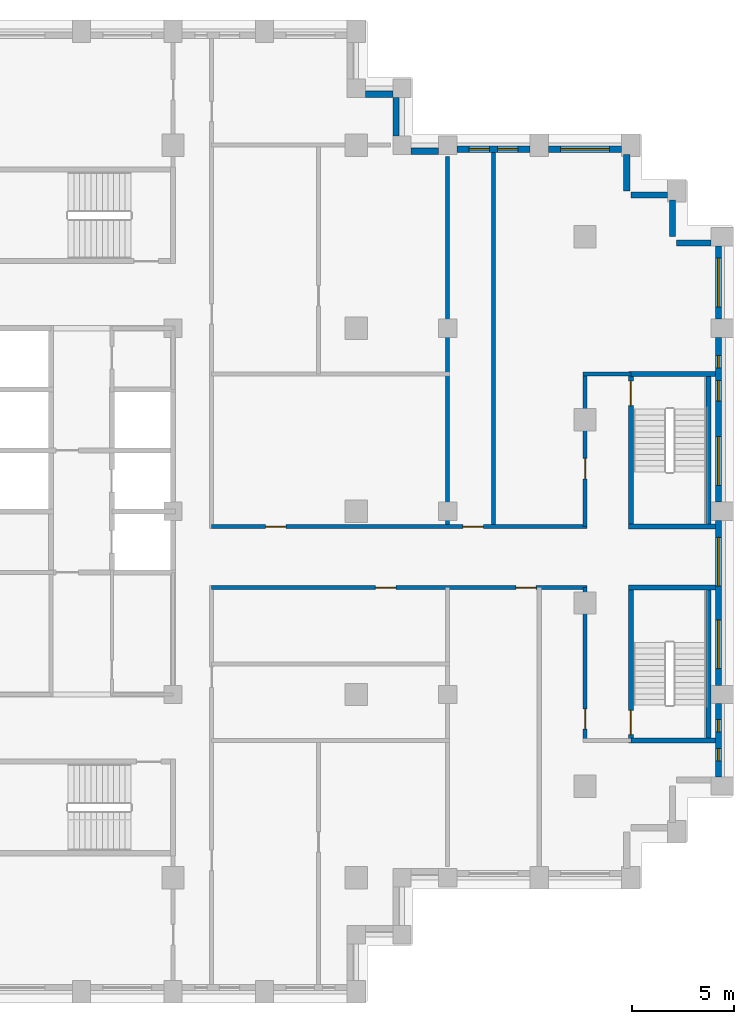
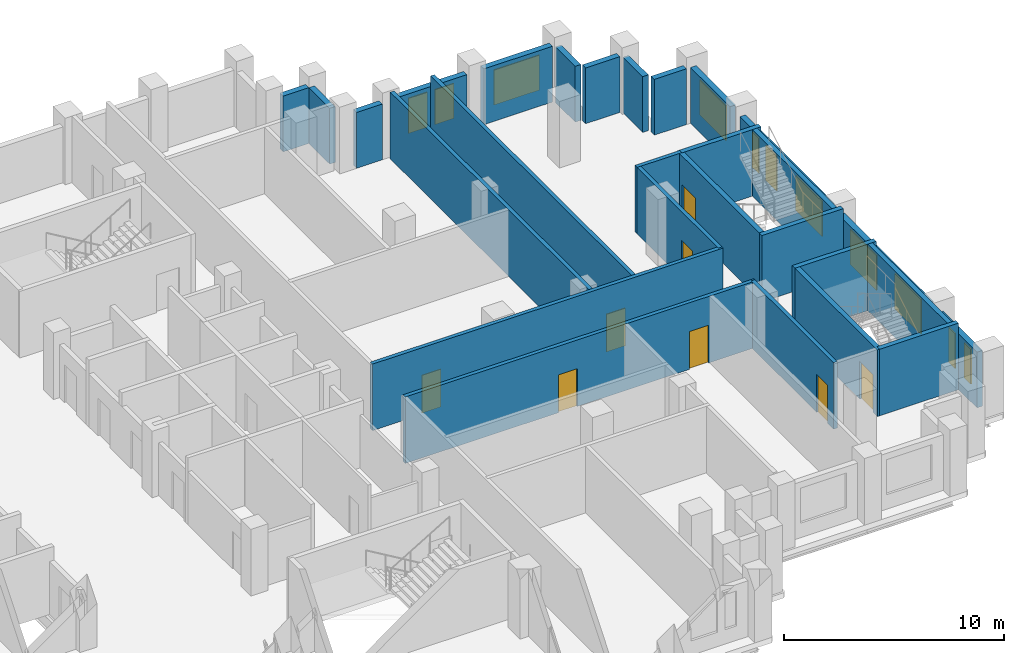
# One storey, part 12 of 16: 28 walls, 11 windows, 8 doors, 19 openings.
"""IFC4 building model written with IfcOpenShell, lengths in metres."""

from ifc_helpers import new_model, si_unit, direction, frame, frame_2d, origin, place, context, subcontext, project, spatial, rectangle, extrude, material, layer, layer_set, type_object, element, fill, save


model = new_model("IFC4")

# Units and contexts
model_context = context("Model", 3, precision=1e-05, world=origin(), true_north=direction((0.0, 1.0)))
body_context = subcontext(model_context, "Body", "Model", "MODEL_VIEW")
ifc_project = project(units=[si_unit("LENGTHUNIT", "METRE"), si_unit("AREAUNIT", "SQUARE_METRE"), si_unit("VOLUMEUNIT", "CUBIC_METRE"), si_unit("PLANEANGLEUNIT", "RADIAN"), si_unit("MASSUNIT", "GRAM", prefix="KILO")], contexts=[model_context])

# Site, building, storey
site_placement = place(None, origin())
site = spatial("IfcSite", under=ifc_project, at=site_placement, CompositionType="ELEMENT")
building_placement = place(site_placement, origin())
building = spatial("IfcBuilding", under=site, at=building_placement, Name="Corbelhall Arena Tower", CompositionType="ELEMENT")
storey_placement = place(building_placement, frame((0.0, 0.0, 170.0)))
storey = spatial("IfcBuildingStorey", under=building, at=storey_placement, Name="L34", CompositionType="ELEMENT", Elevation=170.0)

# Walls
ifc_material_1 = material(Name="Precast concrete C40/50 with granite facing", Category="masonry")
ifc_layer_1 = layer(ifc_material_1, 0.300048828125)
ifc_layer_set_1 = layer_set([ifc_layer_1], Name="EV-IW1 Infill panel 300")
wall_type_1 = type_object("IfcWallType", Name="EV-IW1 Infill panel 300", PredefinedType="SOLIDWALL", material=ifc_layer_set_1)
wall_1_placement = place(storey_placement, frame((39.949951171875, 13.199951171875, 0.0), z_axis=(0.0, 0.0, 1.0), x_axis=(-1.0, 0.0, 0.0)))
element("IfcWall", 1, at=wall_1_placement, inside=storey, type_object=wall_type_1, Name="Infill panel IW1", PredefinedType="SOLIDWALL", context=body_context, shape_type="SweptSolid", body=[
    extrude(rectangle(XDim=1.699951171875, YDim=0.300048828125, at=frame_2d((0.85009765625, 0.0))), origin(), (0.0, 0.0, 1.0), 3.10009765625),
])
for number, where, z_axis, x_axis, name in (
    (2, (38.050048828125, 15.300048828125, 0.0), (0.0, 0.0, 1.0), (0.0, -1.0, 0.0), "Infill panel IW1"),
    (3, (37.800048828125, 15.550048828125, 0.0), (0.0, 0.0, 1.0), (-1.0, 0.0, 0.0), "Infill panel IW1"),
    (4, (35.800048828125, 17.550048828125, 0.0), (0.0, 0.0, 1.0), (0.0, -1.0, 0.0), "Infill panel IW1"),
):
    element("IfcWall", number, at=place(storey_placement, frame(where, z_axis=z_axis, x_axis=x_axis)), inside=storey, type_object=wall_type_1, Name=name, PredefinedType="SOLIDWALL", context=body_context, shape_type="SweptSolid", body=[
        extrude(rectangle(XDim=1.800048828125, YDim=0.300048828125, at=frame_2d((0.89990234375, 0.0))), origin(), (0.0, 0.0, 1.0), 3.10009765625),
    ])

# Wall, openings, windows
wall_2_placement = place(storey_placement, frame((40.300048828125, -13.050048828125, 0.0), z_axis=(0.0, 0.0, 1.0), x_axis=(0.0, 1.0, 0.0)))
wall_2 = element("IfcWall", 5, at=wall_2_placement, inside=storey, type_object=wall_type_1, Name="Infill panel IW1", PredefinedType="SOLIDWALL", context=body_context, shape_type="SweptSolid", body=[
    extrude(rectangle(XDim=3.60009765625, YDim=0.300048828125, at=frame_2d((1.800048828125, 0.0))), origin(), (0.0, 0.0, 1.0), 3.10009765625),
])
opening_1_placement = place(wall_2_placement, frame((0.78759765625, 0.0, 0.800048828125)))
opening_1 = element("IfcOpeningElement", 6, at=opening_1_placement, cuts=wall_2, Name="Opening WN5", PredefinedType="OPENING", context=body_context, shape_type="SweptSolid", body=[
    extrude(rectangle(XDim=0.60009765625, YDim=1.949951171875, at=frame_2d((0.300048828125, 0.97509765625))), frame((0.0, 0.14990234375, 0.0), z_axis=(0.0, -1.0, 0.0), x_axis=(1.0, 0.0, 0.0)), (0.0, 0.0, 1.0), 0.300048828125),
])
opening_2_placement = place(wall_2_placement, frame((2.21240234375, 0.0, 0.800048828125)))
opening_2 = element("IfcOpeningElement", 7, at=opening_2_placement, cuts=wall_2, Name="Opening WN5", PredefinedType="OPENING", context=body_context, shape_type="SweptSolid", body=[
    extrude(rectangle(XDim=0.60009765625, YDim=1.949951171875, at=frame_2d((0.300048828125, 0.97509765625))), frame((0.0, 0.14990234375, 0.0), z_axis=(0.0, -1.0, 0.0), x_axis=(1.0, 0.0, 0.0)), (0.0, 0.0, 1.0), 0.300048828125),
])
ifc_material_2 = material(Name="Aluminium black anodised", Category="aluminium")
window_type_1 = type_object("IfcWindowType", Name="EV-WN5 Office window 600", PartitioningType="SINGLE_PANEL", PredefinedType="WINDOW", material=ifc_material_2)
window_1_placement = place(opening_1_placement, origin())
window_1 = element("IfcWindow", 8, at=window_1_placement, inside=storey, type_object=window_type_1, Name="Window WN5", OverallHeight=1.949951171875, OverallWidth=0.60009765625, PartitioningType="SINGLE_PANEL", PredefinedType="WINDOW", context=body_context, shape_type="SweptSolid", body=[
    extrude(rectangle(XDim=0.60009765625, YDim=1.949951171875, at=frame_2d((0.300048828125, 0.97509765625))), frame((0.0, 0.030029296875, 0.0), z_axis=(0.0, -1.0, 0.0), x_axis=(1.0, 0.0, 0.0)), (0.0, 0.0, 1.0), 0.06005859375),
])
fill(opening_1, window_1)
window_2_placement = place(opening_2_placement, origin())
window_2 = element("IfcWindow", 9, at=window_2_placement, inside=storey, type_object=window_type_1, Name="Window WN5", OverallHeight=1.949951171875, OverallWidth=0.60009765625, PartitioningType="SINGLE_PANEL", PredefinedType="WINDOW", context=body_context, shape_type="SweptSolid", body=[
    extrude(rectangle(XDim=0.60009765625, YDim=1.949951171875, at=frame_2d((0.300048828125, 0.97509765625))), frame((0.0, 0.030029296875, 0.0), z_axis=(0.0, -1.0, 0.0), x_axis=(1.0, 0.0, 0.0)), (0.0, 0.0, 1.0), 0.06005859375),
])
fill(opening_2, window_2)

wall_3_placement = place(storey_placement, frame((40.300048828125, -8.550048828125, 0.0), z_axis=(0.0, 0.0, 1.0), x_axis=(0.0, 1.0, 0.0)))
wall_3 = element("IfcWall", 10, at=wall_3_placement, inside=storey, type_object=wall_type_1, Name="Infill panel IW1", PredefinedType="SOLIDWALL", context=body_context, shape_type="SweptSolid", body=[
    extrude(rectangle(XDim=8.10009765625, YDim=0.300048828125, at=frame_2d((4.050048828125, 0.0))), origin(), (0.0, 0.0, 1.0), 3.10009765625),
])
opening_3_placement = place(wall_3_placement, frame((0.824951171875, 0.0, 0.800048828125)))
opening_3 = element("IfcOpeningElement", 11, at=opening_3_placement, cuts=wall_3, Name="Opening WN1", PredefinedType="OPENING", context=body_context, shape_type="SweptSolid", body=[
    extrude(rectangle(XDim=2.39990234375, YDim=1.949951171875, at=frame_2d((1.199951171875, 0.97509765625))), frame((0.0, 0.14990234375, 0.0), z_axis=(0.0, -1.0, 0.0), x_axis=(1.0, 0.0, 0.0)), (0.0, 0.0, 1.0), 0.300048828125),
])
opening_4_placement = place(wall_3_placement, frame((4.875, 0.0, 0.800048828125)))
opening_4 = element("IfcOpeningElement", 12, at=opening_4_placement, cuts=wall_3, Name="Opening WN1", PredefinedType="OPENING", context=body_context, shape_type="SweptSolid", body=[
    extrude(rectangle(XDim=2.39990234375, YDim=1.949951171875, at=frame_2d((1.199951171875, 0.97509765625))), frame((0.0, 0.14990234375, 0.0), z_axis=(0.0, -1.0, 0.0), x_axis=(1.0, 0.0, 0.0)), (0.0, 0.0, 1.0), 0.300048828125),
])
window_type_2 = type_object("IfcWindowType", Name="EV-WN1 Office window", PartitioningType="SINGLE_PANEL", PredefinedType="WINDOW", material=ifc_material_2)
window_3_placement = place(opening_3_placement, origin())
window_3 = element("IfcWindow", 13, at=window_3_placement, inside=storey, type_object=window_type_2, Name="Window WN1", OverallHeight=1.949951171875, OverallWidth=2.39990234375, PartitioningType="SINGLE_PANEL", PredefinedType="WINDOW", context=body_context, shape_type="SweptSolid", body=[
    extrude(rectangle(XDim=2.39990234375, YDim=1.949951171875, at=frame_2d((1.199951171875, 0.97509765625))), frame((0.0, 0.030029296875, 0.0), z_axis=(0.0, -1.0, 0.0), x_axis=(1.0, 0.0, 0.0)), (0.0, 0.0, 1.0), 0.06005859375),
])
fill(opening_3, window_3)
window_4_placement = place(opening_4_placement, origin())
window_4 = element("IfcWindow", 14, at=window_4_placement, inside=storey, type_object=window_type_2, Name="Window WN1", OverallHeight=1.949951171875, OverallWidth=2.39990234375, PartitioningType="SINGLE_PANEL", PredefinedType="WINDOW", context=body_context, shape_type="SweptSolid", body=[
    extrude(rectangle(XDim=2.39990234375, YDim=1.949951171875, at=frame_2d((1.199951171875, 0.97509765625))), frame((0.0, 0.030029296875, 0.0), z_axis=(0.0, -1.0, 0.0), x_axis=(1.0, 0.0, 0.0)), (0.0, 0.0, 1.0), 0.06005859375),
])
fill(opening_4, window_4)

wall_4_placement = place(storey_placement, frame((40.300048828125, 0.449951171875, 0.0), z_axis=(0.0, 0.0, 1.0), x_axis=(0.0, 1.0, 0.0)))
wall_4 = element("IfcWall", 15, at=wall_4_placement, inside=storey, type_object=wall_type_1, Name="Infill panel IW1", PredefinedType="SOLIDWALL", context=body_context, shape_type="SweptSolid", body=[
    extrude(rectangle(XDim=8.10009765625, YDim=0.300048828125, at=frame_2d((4.050048828125, 0.0))), origin(), (0.0, 0.0, 1.0), 3.10009765625),
])
opening_5_placement = place(wall_4_placement, frame((0.824951171875, 0.0, 0.800048828125)))
opening_5 = element("IfcOpeningElement", 16, at=opening_5_placement, cuts=wall_4, Name="Opening WN1", PredefinedType="OPENING", context=body_context, shape_type="SweptSolid", body=[
    extrude(rectangle(XDim=2.39990234375, YDim=1.949951171875, at=frame_2d((1.199951171875, 0.97509765625))), frame((0.0, 0.14990234375, 0.0), z_axis=(0.0, -1.0, 0.0), x_axis=(1.0, 0.0, 0.0)), (0.0, 0.0, 1.0), 0.300048828125),
])
opening_6_placement = place(wall_4_placement, frame((4.97509765625, 0.0, 0.800048828125)))
opening_6 = element("IfcOpeningElement", 17, at=opening_6_placement, cuts=wall_4, Name="Opening WN6", PredefinedType="OPENING", context=body_context, shape_type="SweptSolid", body=[
    extrude(rectangle(XDim=1.0, YDim=1.949951171875, at=frame_2d((0.5, 0.97509765625))), frame((0.0, 0.14990234375, 0.0), z_axis=(0.0, -1.0, 0.0), x_axis=(1.0, 0.0, 0.0)), (0.0, 0.0, 1.0), 0.300048828125),
])
opening_7_placement = place(wall_4_placement, frame((6.60009765625, 0.0, 0.800048828125)))
opening_7 = element("IfcOpeningElement", 18, at=opening_7_placement, cuts=wall_4, Name="Opening WN5", PredefinedType="OPENING", context=body_context, shape_type="SweptSolid", body=[
    extrude(rectangle(XDim=0.60009765625, YDim=1.949951171875, at=frame_2d((0.300048828125, 0.97509765625))), frame((0.0, 0.14990234375, 0.0), z_axis=(0.0, -1.0, 0.0), x_axis=(1.0, 0.0, 0.0)), (0.0, 0.0, 1.0), 0.300048828125),
])
window_5_placement = place(opening_5_placement, origin())
window_5 = element("IfcWindow", 19, at=window_5_placement, inside=storey, type_object=window_type_2, Name="Window WN1", OverallHeight=1.949951171875, OverallWidth=2.39990234375, PartitioningType="SINGLE_PANEL", PredefinedType="WINDOW", context=body_context, shape_type="SweptSolid", body=[
    extrude(rectangle(XDim=2.39990234375, YDim=1.949951171875, at=frame_2d((1.199951171875, 0.97509765625))), frame((0.0, 0.030029296875, 0.0), z_axis=(0.0, -1.0, 0.0), x_axis=(1.0, 0.0, 0.0)), (0.0, 0.0, 1.0), 0.06005859375),
])
fill(opening_5, window_5)
window_6_placement = place(opening_7_placement, origin())
window_6 = element("IfcWindow", 20, at=window_6_placement, inside=storey, type_object=window_type_1, Name="Window WN5", OverallHeight=1.949951171875, OverallWidth=0.60009765625, PartitioningType="SINGLE_PANEL", PredefinedType="WINDOW", context=body_context, shape_type="SweptSolid", body=[
    extrude(rectangle(XDim=0.60009765625, YDim=1.949951171875, at=frame_2d((0.300048828125, 0.97509765625))), frame((0.0, 0.030029296875, 0.0), z_axis=(0.0, -1.0, 0.0), x_axis=(1.0, 0.0, 0.0)), (0.0, 0.0, 1.0), 0.06005859375),
])
fill(opening_7, window_6)
window_type_3 = type_object("IfcWindowType", Name="EV-WN6 Office window 1000", PartitioningType="SINGLE_PANEL", PredefinedType="WINDOW", material=ifc_material_2)
window_7_placement = place(opening_6_placement, origin())
window_7 = element("IfcWindow", 21, at=window_7_placement, inside=storey, type_object=window_type_3, Name="Window WN6", OverallHeight=1.949951171875, OverallWidth=1.0, PartitioningType="SINGLE_PANEL", PredefinedType="WINDOW", context=body_context, shape_type="SweptSolid", body=[
    extrude(rectangle(XDim=1.0, YDim=1.949951171875, at=frame_2d((0.5, 0.97509765625))), frame((0.0, 0.030029296875, 0.0), z_axis=(0.0, -1.0, 0.0), x_axis=(1.0, 0.0, 0.0)), (0.0, 0.0, 1.0), 0.06005859375),
])
fill(opening_6, window_7)

# Wall, opening, window
wall_5_placement = place(storey_placement, frame((40.300048828125, 9.449951171875, 0.0), z_axis=(0.0, 0.0, 1.0), x_axis=(0.0, 1.0, 0.0)))
wall_5 = element("IfcWall", 22, at=wall_5_placement, inside=storey, type_object=wall_type_1, Name="Infill panel IW1", PredefinedType="SOLIDWALL", context=body_context, shape_type="SweptSolid", body=[
    extrude(rectangle(XDim=3.60009765625, YDim=0.300048828125, at=frame_2d((1.800048828125, 0.0))), origin(), (0.0, 0.0, 1.0), 3.10009765625),
])
opening_8_placement = place(wall_5_placement, frame((0.60009765625, 0.0, 0.800048828125)))
opening_8 = element("IfcOpeningElement", 23, at=opening_8_placement, cuts=wall_5, Name="Opening WN1", PredefinedType="OPENING", context=body_context, shape_type="SweptSolid", body=[
    extrude(rectangle(XDim=2.39990234375, YDim=1.949951171875, at=frame_2d((1.199951171875, 0.97509765625))), frame((0.0, 0.14990234375, 0.0), z_axis=(0.0, -1.0, 0.0), x_axis=(1.0, 0.0, 0.0)), (0.0, 0.0, 1.0), 0.300048828125),
])
window_8_placement = place(opening_8_placement, origin())
window_8 = element("IfcWindow", 24, at=window_8_placement, inside=storey, type_object=window_type_2, Name="Window WN1", OverallHeight=1.949951171875, OverallWidth=2.39990234375, PartitioningType="SINGLE_PANEL", PredefinedType="WINDOW", context=body_context, shape_type="SweptSolid", body=[
    extrude(rectangle(XDim=2.39990234375, YDim=1.949951171875, at=frame_2d((1.199951171875, 0.97509765625))), frame((0.0, 0.030029296875, 0.0), z_axis=(0.0, -1.0, 0.0), x_axis=(1.0, 0.0, 0.0)), (0.0, 0.0, 1.0), 0.06005859375),
])
fill(opening_8, window_8)

wall_6_placement = place(storey_placement, frame((35.550048828125, 17.800048828125, 0.0), z_axis=(0.0, 0.0, 1.0), x_axis=(-1.0, 0.0, 0.0)))
wall_6 = element("IfcWall", 25, at=wall_6_placement, inside=storey, type_object=wall_type_1, Name="Infill panel IW1", PredefinedType="SOLIDWALL", context=body_context, shape_type="SweptSolid", body=[
    extrude(rectangle(XDim=3.60009765625, YDim=0.300048828125, at=frame_2d((1.800048828125, 0.0))), origin(), (0.0, 0.0, 1.0), 3.10009765625),
])
opening_9_placement = place(wall_6_placement, frame((0.60009765625, 0.0, 0.800048828125)))
opening_9 = element("IfcOpeningElement", 26, at=opening_9_placement, cuts=wall_6, Name="Opening WN1", PredefinedType="OPENING", context=body_context, shape_type="SweptSolid", body=[
    extrude(rectangle(XDim=2.39990234375, YDim=1.949951171875, at=frame_2d((1.199951171875, 0.97509765625))), frame((0.0, 0.14990234375, 0.0), z_axis=(0.0, -1.0, 0.0), x_axis=(1.0, 0.0, 0.0)), (0.0, 0.0, 1.0), 0.300048828125),
])
window_9_placement = place(opening_9_placement, origin())
window_9 = element("IfcWindow", 27, at=window_9_placement, inside=storey, type_object=window_type_2, Name="Window WN1", OverallHeight=1.949951171875, OverallWidth=2.39990234375, PartitioningType="SINGLE_PANEL", PredefinedType="WINDOW", context=body_context, shape_type="SweptSolid", body=[
    extrude(rectangle(XDim=2.39990234375, YDim=1.949951171875, at=frame_2d((1.199951171875, 0.97509765625))), frame((0.0, 0.030029296875, 0.0), z_axis=(0.0, -1.0, 0.0), x_axis=(1.0, 0.0, 0.0)), (0.0, 0.0, 1.0), 0.06005859375),
])
fill(opening_9, window_9)

# Wall, openings, windows
wall_7_placement = place(storey_placement, frame((31.050048828125, 17.800048828125, 0.0), z_axis=(0.0, 0.0, 1.0), x_axis=(-1.0, 0.0, 0.0)))
wall_7 = element("IfcWall", 28, at=wall_7_placement, inside=storey, type_object=wall_type_1, Name="Infill panel IW1", PredefinedType="SOLIDWALL", context=body_context, shape_type="SweptSolid", body=[
    extrude(rectangle(XDim=3.60009765625, YDim=0.300048828125, at=frame_2d((1.800048828125, 0.0))), origin(), (0.0, 0.0, 1.0), 3.10009765625),
])
opening_10_placement = place(wall_7_placement, frame((0.60009765625, 0.0, 0.800048828125)))
opening_10 = element("IfcOpeningElement", 29, at=opening_10_placement, cuts=wall_7, Name="Opening WN6", PredefinedType="OPENING", context=body_context, shape_type="SweptSolid", body=[
    extrude(rectangle(XDim=1.0, YDim=1.949951171875, at=frame_2d((0.5, 0.97509765625))), frame((0.0, 0.14990234375, 0.0), z_axis=(0.0, -1.0, 0.0), x_axis=(1.0, 0.0, 0.0)), (0.0, 0.0, 1.0), 0.300048828125),
])
opening_11_placement = place(wall_7_placement, frame((2.0, 0.0, 0.800048828125)))
opening_11 = element("IfcOpeningElement", 30, at=opening_11_placement, cuts=wall_7, Name="Opening WN6", PredefinedType="OPENING", context=body_context, shape_type="SweptSolid", body=[
    extrude(rectangle(XDim=1.0, YDim=1.949951171875, at=frame_2d((0.5, 0.97509765625))), frame((0.0, 0.14990234375, 0.0), z_axis=(0.0, -1.0, 0.0), x_axis=(1.0, 0.0, 0.0)), (0.0, 0.0, 1.0), 0.300048828125),
])
window_10_placement = place(opening_10_placement, origin())
window_10 = element("IfcWindow", 31, at=window_10_placement, inside=storey, type_object=window_type_3, Name="Window WN6", OverallHeight=1.949951171875, OverallWidth=1.0, PartitioningType="SINGLE_PANEL", PredefinedType="WINDOW", context=body_context, shape_type="SweptSolid", body=[
    extrude(rectangle(XDim=1.0, YDim=1.949951171875, at=frame_2d((0.5, 0.97509765625))), frame((0.0, 0.030029296875, 0.0), z_axis=(0.0, -1.0, 0.0), x_axis=(1.0, 0.0, 0.0)), (0.0, 0.0, 1.0), 0.06005859375),
])
fill(opening_10, window_10)
window_11_placement = place(opening_11_placement, origin())
window_11 = element("IfcWindow", 32, at=window_11_placement, inside=storey, type_object=window_type_3, Name="Window WN6", OverallHeight=1.949951171875, OverallWidth=1.0, PartitioningType="SINGLE_PANEL", PredefinedType="WINDOW", context=body_context, shape_type="SweptSolid", body=[
    extrude(rectangle(XDim=1.0, YDim=1.949951171875, at=frame_2d((0.5, 0.97509765625))), frame((0.0, 0.030029296875, 0.0), z_axis=(0.0, -1.0, 0.0), x_axis=(1.0, 0.0, 0.0)), (0.0, 0.0, 1.0), 0.06005859375),
])
fill(opening_11, window_11)

# Walls
wall_8_placement = place(storey_placement, frame((26.550048828125, 17.699951171875, 0.0), z_axis=(0.0, 0.0, 1.0), x_axis=(-1.0, 0.0, 0.0)))
element("IfcWall", 33, at=wall_8_placement, inside=storey, type_object=wall_type_1, Name="Infill panel IW1", PredefinedType="SOLIDWALL", context=body_context, shape_type="SweptSolid", body=[
    extrude(rectangle(XDim=1.35009765625, YDim=0.300048828125, at=frame_2d((0.675048828125, 0.0))), origin(), (0.0, 0.0, 1.0), 3.10009765625),
])
wall_9_placement = place(storey_placement, frame((24.449951171875, 18.449951171875, 0.0), z_axis=(0.0, 0.0, 1.0), x_axis=(0.0, 1.0, 0.0)))
element("IfcWall", 34, at=wall_9_placement, inside=storey, type_object=wall_type_1, Name="Infill panel IW1", PredefinedType="SOLIDWALL", context=body_context, shape_type="SweptSolid", body=[
    extrude(rectangle(XDim=1.900146484375, YDim=0.300048828125, at=frame_2d((0.9501953125, 0.0))), origin(), (0.0, 0.0, 1.0), 3.10009765625),
])
wall_10_placement = place(storey_placement, frame((24.300048828125, 20.5, 0.0), z_axis=(0.0, 0.0, 1.0), x_axis=(-1.0, 0.0, 0.0)))
element("IfcWall", 35, at=wall_10_placement, inside=storey, type_object=wall_type_1, Name="Infill panel IW1", PredefinedType="SOLIDWALL", context=body_context, shape_type="SweptSolid", body=[
    extrude(rectangle(XDim=1.35009765625, YDim=0.300048828125, at=frame_2d((0.675048828125, 0.0))), origin(), (0.0, 0.0, 1.0), 3.10009765625),
])

# Wall, openings, doors
ifc_material_3 = material(Name="Gypsum board on steel stud, acoustic", Category="steel")
ifc_layer_2 = layer(ifc_material_3, 0.199951171875)
ifc_layer_set_2 = layer_set([ifc_layer_2], Name="IN-W-DM200")
wall_type_2 = type_object("IfcWallType", Name="IN-W-DM200", PredefinedType="PARTITIONING", material=ifc_layer_set_2)
wall_11_placement = place(storey_placement, frame((15.39990234375, -0.75, 0.0), z_axis=(0.0, 0.0, 1.0), x_axis=(1.0, 0.0, 0.0)))
wall_11 = element("IfcWall", 36, at=wall_11_placement, inside=storey, type_object=wall_type_2, Name="Partition 033", PredefinedType="PARTITIONING", context=body_context, shape_type="SweptSolid", body=[
    extrude(rectangle(XDim=18.4501953125, YDim=0.199951171875, at=frame_2d((9.22509765625, 0.0))), origin(), (0.0, 0.0, 1.0), 3.699951171875),
])
opening_12_placement = place(wall_11_placement, frame((2.64990234375, 0.0, 0.0)))
opening_12 = element("IfcOpeningElement", 37, at=opening_12_placement, cuts=wall_11, Name="Opening 10034", PredefinedType="OPENING", context=body_context, shape_type="SweptSolid", body=[
    extrude(rectangle(XDim=1.0, YDim=2.10009765625, at=frame_2d((0.5, 1.050048828125))), frame((0.0, 0.10009765625, 0.0), z_axis=(0.0, -1.0, 0.0), x_axis=(1.0, 0.0, 0.0)), (0.0, 0.0, 1.0), 0.199951171875),
])
opening_13_placement = place(wall_11_placement, frame((12.35009765625, 0.0, 0.0)))
opening_13 = element("IfcOpeningElement", 38, at=opening_13_placement, cuts=wall_11, Name="Opening 10045", PredefinedType="OPENING", context=body_context, shape_type="SweptSolid", body=[
    extrude(rectangle(XDim=1.0, YDim=2.10009765625, at=frame_2d((0.5, 1.050048828125))), frame((0.0, 0.10009765625, 0.0), z_axis=(0.0, -1.0, 0.0), x_axis=(1.0, 0.0, 0.0)), (0.0, 0.0, 1.0), 0.199951171875),
])
ifc_material_4 = material(Name="Steel door set", Category="steel")
door_type_1 = type_object("IfcDoorType", Name="IN-D-SW100", OperationType="NOTDEFINED", PredefinedType="DOOR", material=ifc_material_4)
door_1_placement = place(opening_12_placement, origin())
door_1 = element("IfcDoor", 39, at=door_1_placement, inside=storey, type_object=door_type_1, Name="Door 034", OperationType="SINGLE_SWING_LEFT", OverallHeight=2.10009765625, OverallWidth=1.0, PredefinedType="DOOR", context=body_context, shape_type="SweptSolid", body=[
    extrude(rectangle(XDim=1.0, YDim=2.10009765625, at=frame_2d((0.5, 1.050048828125))), frame((0.0, 0.02490234375, 0.0), z_axis=(0.0, -1.0, 0.0), x_axis=(1.0, 0.0, 0.0)), (0.0, 0.0, 1.0), 0.050048828125),
])
fill(opening_12, door_1)
door_2_placement = place(opening_13_placement, origin())
door_2 = element("IfcDoor", 40, at=door_2_placement, inside=storey, type_object=door_type_1, Name="Door 045", OperationType="SINGLE_SWING_RIGHT", OverallHeight=2.10009765625, OverallWidth=1.0, PredefinedType="DOOR", context=body_context, shape_type="SweptSolid", body=[
    extrude(rectangle(XDim=1.0, YDim=2.10009765625, at=frame_2d((0.5, 1.050048828125))), frame((0.0, 0.02490234375, 0.0), z_axis=(0.0, -1.0, 0.0), x_axis=(1.0, 0.0, 0.0)), (0.0, 0.0, 1.0), 0.050048828125),
])
fill(opening_13, door_2)

# Wall
wall_12_placement = place(storey_placement, frame((27.0, 17.449951171875, 0.0), z_axis=(0.0, 0.0, 1.0), x_axis=(0.0, -1.0, 0.0)))
element("IfcWall", 41, at=wall_12_placement, inside=storey, type_object=wall_type_2, Name="Partition 040", PredefinedType="PARTITIONING", context=body_context, shape_type="SweptSolid", body=[
    extrude(rectangle(XDim=18.199951171875, YDim=0.199951171875, at=frame_2d((9.10009765625, 0.0))), origin(), (0.0, 0.0, 1.0), 3.699951171875),
])

# Wall, openings, doors
wall_13_placement = place(storey_placement, frame((33.85009765625, -3.75, 0.0), z_axis=(0.0, 0.0, 1.0), x_axis=(-1.0, 0.0, 0.0)))
wall_13 = element("IfcWall", 42, at=wall_13_placement, inside=storey, type_object=wall_type_2, Name="Partition 041", PredefinedType="PARTITIONING", context=body_context, shape_type="SweptSolid", body=[
    extrude(rectangle(XDim=18.4501953125, YDim=0.199951171875, at=frame_2d((9.22509765625, 0.0))), origin(), (0.0, 0.0, 1.0), 3.699951171875),
])
opening_14_placement = place(wall_13_placement, frame((9.39990234375, 0.0, 0.0)))
opening_14 = element("IfcOpeningElement", 43, at=opening_14_placement, cuts=wall_13, Name="Opening 10041", PredefinedType="OPENING", context=body_context, shape_type="SweptSolid", body=[
    extrude(rectangle(XDim=1.0, YDim=2.10009765625, at=frame_2d((0.5, 1.050048828125))), frame((0.0, 0.10009765625, 0.0), z_axis=(0.0, -1.0, 0.0), x_axis=(1.0, 0.0, 0.0)), (0.0, 0.0, 1.0), 0.199951171875),
])
opening_15_placement = place(wall_13_placement, frame((2.5, 0.0, 0.0)))
opening_15 = element("IfcOpeningElement", 44, at=opening_15_placement, cuts=wall_13, Name="Opening 10047", PredefinedType="OPENING", context=body_context, shape_type="SweptSolid", body=[
    extrude(rectangle(XDim=1.0, YDim=2.10009765625, at=frame_2d((0.5, 1.050048828125))), frame((0.0, 0.10009765625, 0.0), z_axis=(0.0, -1.0, 0.0), x_axis=(1.0, 0.0, 0.0)), (0.0, 0.0, 1.0), 0.199951171875),
])
door_3_placement = place(opening_14_placement, origin())
door_3 = element("IfcDoor", 45, at=door_3_placement, inside=storey, type_object=door_type_1, Name="Door 041", OperationType="SINGLE_SWING_RIGHT", OverallHeight=2.10009765625, OverallWidth=1.0, PredefinedType="DOOR", context=body_context, shape_type="SweptSolid", body=[
    extrude(rectangle(XDim=1.0, YDim=2.10009765625, at=frame_2d((0.5, 1.050048828125))), frame((0.0, 0.02490234375, 0.0), z_axis=(0.0, -1.0, 0.0), x_axis=(1.0, 0.0, 0.0)), (0.0, 0.0, 1.0), 0.050048828125),
])
fill(opening_14, door_3)
door_4_placement = place(opening_15_placement, origin())
door_4 = element("IfcDoor", 46, at=door_4_placement, inside=storey, type_object=door_type_1, Name="Door 047", OperationType="SINGLE_SWING_RIGHT", OverallHeight=2.10009765625, OverallWidth=1.0, PredefinedType="DOOR", context=body_context, shape_type="SweptSolid", body=[
    extrude(rectangle(XDim=1.0, YDim=2.10009765625, at=frame_2d((0.5, 1.050048828125))), frame((0.0, 0.02490234375, 0.0), z_axis=(0.0, -1.0, 0.0), x_axis=(1.0, 0.0, 0.0)), (0.0, 0.0, 1.0), 0.050048828125),
])
fill(opening_15, door_4)

# Walls
wall_14_placement = place(storey_placement, frame((29.25, 17.64990234375, 0.0), z_axis=(0.0, 0.0, 1.0), x_axis=(0.0, -1.0, 0.0)))
element("IfcWall", 47, at=wall_14_placement, inside=storey, type_object=wall_type_2, Name="Partition 042", PredefinedType="PARTITIONING", context=body_context, shape_type="SweptSolid", body=[
    extrude(rectangle(XDim=18.39990234375, YDim=0.199951171875, at=frame_2d((9.199951171875, 0.0))), origin(), (0.0, 0.0, 1.0), 3.699951171875),
])
wall_15_placement = place(storey_placement, frame((33.64990234375, 6.75, 0.0), z_axis=(0.0, 0.0, 1.0), x_axis=(1.0, 0.0, 0.0)))
element("IfcWall", 48, at=wall_15_placement, inside=storey, type_object=wall_type_2, Name="Partition 044", PredefinedType="PARTITIONING", context=body_context, shape_type="SweptSolid", body=[
    extrude(rectangle(XDim=2.35009765625, YDim=0.199951171875, at=frame_2d((1.175048828125, 0.0))), origin(), (0.0, 0.0, 1.0), 3.699951171875),
])

# Wall, opening, door
wall_16_placement = place(storey_placement, frame((33.75, -11.25, 0.0), z_axis=(0.0, 0.0, 1.0), x_axis=(0.0, 1.0, 0.0)))
wall_16 = element("IfcWall", 49, at=wall_16_placement, inside=storey, type_object=wall_type_2, Name="Partition 045", PredefinedType="PARTITIONING", context=body_context, shape_type="SweptSolid", body=[
    extrude(rectangle(XDim=7.5, YDim=0.199951171875, at=frame_2d((3.75, 0.0))), origin(), (0.0, 0.0, 1.0), 3.699951171875),
])
opening_16_placement = place(wall_16_placement, frame((0.550048828125, 0.0, 0.0)))
opening_16 = element("IfcOpeningElement", 50, at=opening_16_placement, cuts=wall_16, Name="Opening 10048", PredefinedType="OPENING", context=body_context, shape_type="SweptSolid", body=[
    extrude(rectangle(XDim=1.0, YDim=2.10009765625, at=frame_2d((0.5, 1.050048828125))), frame((0.0, 0.10009765625, 0.0), z_axis=(0.0, -1.0, 0.0), x_axis=(1.0, 0.0, 0.0)), (0.0, 0.0, 1.0), 0.199951171875),
])
door_5_placement = place(opening_16_placement, origin())
door_5 = element("IfcDoor", 51, at=door_5_placement, inside=storey, type_object=door_type_1, Name="Door 048", OperationType="SINGLE_SWING_LEFT", OverallHeight=2.10009765625, OverallWidth=1.0, PredefinedType="DOOR", context=body_context, shape_type="SweptSolid", body=[
    extrude(rectangle(XDim=1.0, YDim=2.10009765625, at=frame_2d((0.5, 1.050048828125))), frame((0.0, 0.02490234375, 0.0), z_axis=(0.0, -1.0, 0.0), x_axis=(1.0, 0.0, 0.0)), (0.0, 0.0, 1.0), 0.050048828125),
])
fill(opening_16, door_5)

wall_17_placement = place(storey_placement, frame((33.75, -0.75, 0.0), z_axis=(0.0, 0.0, 1.0), x_axis=(0.0, 1.0, 0.0)))
wall_17 = element("IfcWall", 52, at=wall_17_placement, inside=storey, type_object=wall_type_2, Name="Partition 046", PredefinedType="PARTITIONING", context=body_context, shape_type="SweptSolid", body=[
    extrude(rectangle(XDim=7.5, YDim=0.199951171875, at=frame_2d((3.75, 0.0))), origin(), (0.0, 0.0, 1.0), 3.699951171875),
])
opening_17_placement = place(wall_17_placement, frame((2.35009765625, 0.0, 0.0)))
opening_17 = element("IfcOpeningElement", 53, at=opening_17_placement, cuts=wall_17, Name="Opening 10046", PredefinedType="OPENING", context=body_context, shape_type="SweptSolid", body=[
    extrude(rectangle(XDim=1.0, YDim=2.10009765625, at=frame_2d((0.5, 1.050048828125))), frame((0.0, 0.10009765625, 0.0), z_axis=(0.0, -1.0, 0.0), x_axis=(1.0, 0.0, 0.0)), (0.0, 0.0, 1.0), 0.199951171875),
])
door_6_placement = place(opening_17_placement, origin())
door_6 = element("IfcDoor", 54, at=door_6_placement, inside=storey, type_object=door_type_1, Name="Door 046", OperationType="SINGLE_SWING_LEFT", OverallHeight=2.10009765625, OverallWidth=1.0, PredefinedType="DOOR", context=body_context, shape_type="SweptSolid", body=[
    extrude(rectangle(XDim=1.0, YDim=2.10009765625, at=frame_2d((0.5, 1.050048828125))), frame((0.0, 0.02490234375, 0.0), z_axis=(0.0, -1.0, 0.0), x_axis=(1.0, 0.0, 0.0)), (0.0, 0.0, 1.0), 0.050048828125),
])
fill(opening_17, door_6)

# Wall
ifc_material_5 = material(Name="Concrete C40/50", Category="concrete")
ifc_layer_3 = layer(ifc_material_5, 0.25)
ifc_layer_set_3 = layer_set([ifc_layer_3], Name="IN-W-ST250")
wall_type_3 = type_object("IfcWallType", Name="IN-W-ST250", PredefinedType="SOLIDWALL", material=ifc_layer_set_3)
wall_18_placement = place(storey_placement, frame((35.875, -0.75, 0.0), z_axis=(0.0, 0.0, 1.0), x_axis=(1.0, 0.0, 0.0)))
element("IfcWall", 55, at=wall_18_placement, inside=storey, type_object=wall_type_3, Name="Shaft wall 104", PredefinedType="SOLIDWALL", context=body_context, shape_type="SweptSolid", body=[
    extrude(rectangle(XDim=4.27490234375, YDim=0.25, at=frame_2d((2.137451171875, 0.0))), origin(), (0.0, 0.0, 1.0), 3.699951171875),
])

# Wall, opening, door
wall_19_placement = place(storey_placement, frame((36.0, -11.375, 0.0), z_axis=(0.0, 0.0, 1.0), x_axis=(0.0, 1.0, 0.0)))
wall_19 = element("IfcWall", 56, at=wall_19_placement, inside=storey, type_object=wall_type_3, Name="Shaft wall 105", PredefinedType="SOLIDWALL", context=body_context, shape_type="SweptSolid", body=[
    extrude(rectangle(XDim=7.625, YDim=0.25, at=frame_2d((3.8125, 0.0))), origin(), (0.0, 0.0, 1.0), 3.699951171875),
])
opening_18_placement = place(wall_19_placement, frame((0.39990234375, 0.0, 0.0)))
opening_18 = element("IfcOpeningElement", 57, at=opening_18_placement, cuts=wall_19, Name="Opening 10020", PredefinedType="OPENING", context=body_context, shape_type="SweptSolid", body=[
    extrude(rectangle(XDim=1.199951171875, YDim=2.10009765625, at=frame_2d((0.60009765625, 1.050048828125))), frame((0.0, 0.125, 0.0), z_axis=(0.0, -1.0, 0.0), x_axis=(1.0, 0.0, 0.0)), (0.0, 0.0, 1.0), 0.25),
])
door_type_2 = type_object("IfcDoorType", Name="IN-D-ST120", OperationType="NOTDEFINED", PredefinedType="DOOR", material=ifc_material_4)
door_7_placement = place(opening_18_placement, origin())
door_7 = element("IfcDoor", 58, at=door_7_placement, inside=storey, type_object=door_type_2, Name="Door 020", OperationType="SINGLE_SWING_LEFT", OverallHeight=2.10009765625, OverallWidth=1.199951171875, PredefinedType="DOOR", context=body_context, shape_type="SweptSolid", body=[
    extrude(rectangle(XDim=1.199951171875, YDim=2.10009765625, at=frame_2d((0.60009765625, 1.050048828125))), frame((0.0, 0.02490234375, 0.0), z_axis=(0.0, -1.0, 0.0), x_axis=(1.0, 0.0, 0.0)), (0.0, 0.0, 1.0), 0.050048828125),
])
fill(opening_18, door_7)

wall_20_placement = place(storey_placement, frame((36.0, -0.75, 0.0), z_axis=(0.0, 0.0, 1.0), x_axis=(0.0, 1.0, 0.0)))
wall_20 = element("IfcWall", 59, at=wall_20_placement, inside=storey, type_object=wall_type_3, Name="Shaft wall 106", PredefinedType="SOLIDWALL", context=body_context, shape_type="SweptSolid", body=[
    extrude(rectangle(XDim=7.625, YDim=0.25, at=frame_2d((3.8125, 0.0))), origin(), (0.0, 0.0, 1.0), 3.699951171875),
])
opening_19_placement = place(wall_20_placement, frame((5.949951171875, 0.0, 0.0)))
opening_19 = element("IfcOpeningElement", 60, at=opening_19_placement, cuts=wall_20, Name="Opening 10021", PredefinedType="OPENING", context=body_context, shape_type="SweptSolid", body=[
    extrude(rectangle(XDim=1.199951171875, YDim=2.10009765625, at=frame_2d((0.60009765625, 1.050048828125))), frame((0.0, 0.125, 0.0), z_axis=(0.0, -1.0, 0.0), x_axis=(1.0, 0.0, 0.0)), (0.0, 0.0, 1.0), 0.25),
])
door_8_placement = place(opening_19_placement, origin())
door_8 = element("IfcDoor", 61, at=door_8_placement, inside=storey, type_object=door_type_2, Name="Door 021", OperationType="SINGLE_SWING_RIGHT", OverallHeight=2.10009765625, OverallWidth=1.199951171875, PredefinedType="DOOR", context=body_context, shape_type="SweptSolid", body=[
    extrude(rectangle(XDim=1.199951171875, YDim=2.10009765625, at=frame_2d((0.60009765625, 1.050048828125))), frame((0.0, 0.02490234375, 0.0), z_axis=(0.0, -1.0, 0.0), x_axis=(1.0, 0.0, 0.0)), (0.0, 0.0, 1.0), 0.050048828125),
])
fill(opening_19, door_8)

# Walls
for number, where, z_axis, x_axis, name in (
    (62, (36.0, 6.75, 0.0), (0.0, 0.0, 1.0), (1.0, 0.0, 0.0), "Shaft wall 107"),
    (63, (40.14990234375, -11.25, 0.0), (0.0, 0.0, 1.0), (-1.0, 0.0, 0.0), "Shaft wall 108"),
):
    element("IfcWall", number, at=place(storey_placement, frame(where, z_axis=z_axis, x_axis=x_axis)), inside=storey, type_object=wall_type_3, Name=name, PredefinedType="SOLIDWALL", context=body_context, shape_type="SweptSolid", body=[
        extrude(rectangle(XDim=4.14990234375, YDim=0.25, at=frame_2d((2.074951171875, 0.0))), origin(), (0.0, 0.0, 1.0), 3.699951171875),
    ])
wall_21_placement = place(storey_placement, frame((40.14990234375, -3.75, 0.0), z_axis=(0.0, 0.0, 1.0), x_axis=(-1.0, 0.0, 0.0)))
element("IfcWall", 64, at=wall_21_placement, inside=storey, type_object=wall_type_3, Name="Shaft wall 109", PredefinedType="SOLIDWALL", context=body_context, shape_type="SweptSolid", body=[
    extrude(rectangle(XDim=4.27490234375, YDim=0.25, at=frame_2d((2.137451171875, 0.0))), origin(), (0.0, 0.0, 1.0), 3.699951171875),
])
for number, where, z_axis, x_axis, name in (
    (65, (39.824951171875, -11.125, 0.0), (0.0, 0.0, 1.0), (0.0, 1.0, 0.0), "Shaft wall SD1 facade side"),
    (66, (39.824951171875, -0.625, 0.0), (0.0, 0.0, 1.0), (0.0, 1.0, 0.0), "Shaft wall SD2 facade side"),
):
    element("IfcWall", number, at=place(storey_placement, frame(where, z_axis=z_axis, x_axis=x_axis)), inside=storey, type_object=wall_type_3, Name=name, PredefinedType="SOLIDWALL", context=body_context, shape_type="SweptSolid", body=[
        extrude(rectangle(XDim=7.25, YDim=0.25, at=frame_2d((3.625, 0.0))), origin(), (0.0, 0.0, 1.0), 3.699951171875),
    ])

save(model, "model.ifc")
